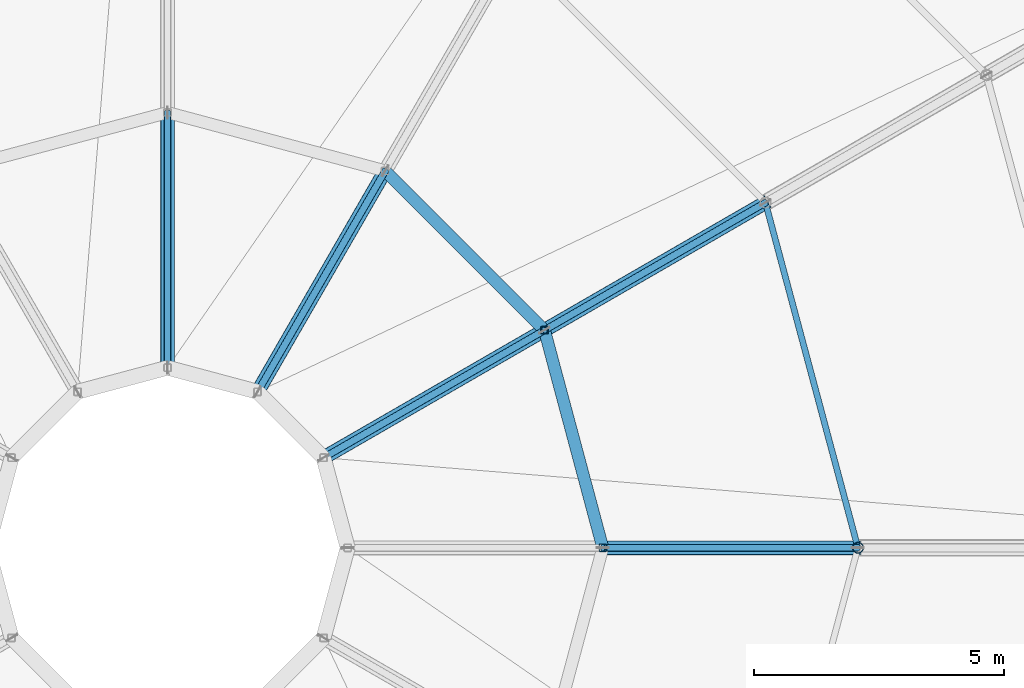
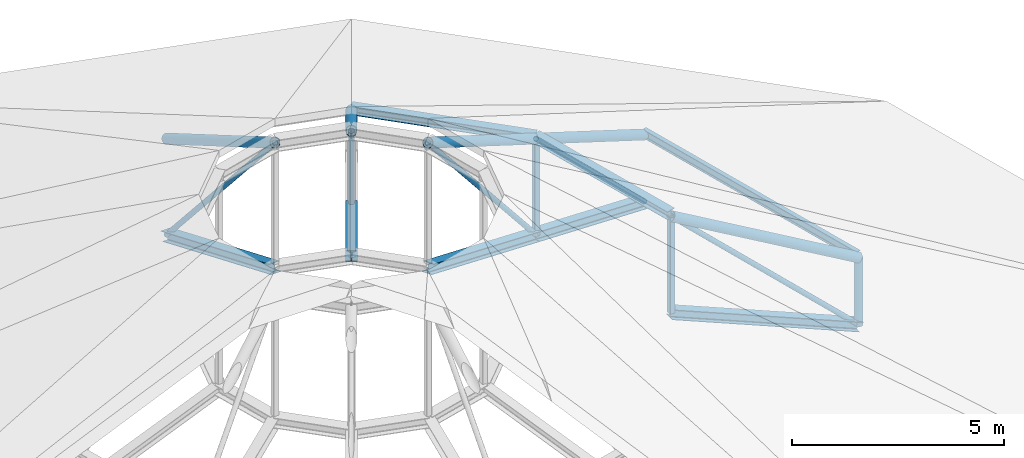
# One storey, part 20 of 58: 21 members.
"""IFC4 building model written with IfcOpenShell, lengths in metres."""

from ifc_helpers import new_model, si_unit, derived_unit, direction, frame, origin, origin_2d, place, context, subcontext, project, spatial, hollow_rectangle, hollow_circle, i_section, extrude, material, material_profile, profile_set, type_object, element, save


model = new_model("IFC4")

# Units and contexts
model_context = context("Model", 3, precision=1e-05, world=origin(), true_north=direction((0.0, 1.0)))
body_context = subcontext(model_context, "Body", "Model", "MODEL_VIEW")
ifc_project = project(units=[si_unit("LENGTHUNIT", "METRE"), si_unit("AREAUNIT", "SQUARE_METRE"), si_unit("VOLUMEUNIT", "CUBIC_METRE"), si_unit("PLANEANGLEUNIT", "RADIAN"), si_unit("MASSUNIT", "GRAM", prefix="KILO"), derived_unit("THERMALTRANSMITTANCEUNIT", [(si_unit("POWERUNIT", "WATT"), 1), (si_unit("AREAUNIT", "SQUARE_METRE"), -1), (si_unit("THERMODYNAMICTEMPERATUREUNIT", "KELVIN"), -1)])], contexts=[model_context])

# Site, building, storey
site_placement = place(None, origin())
site = spatial("IfcSite", under=ifc_project, at=site_placement, CompositionType="ELEMENT")
building_placement = place(site_placement, origin())
building = spatial("IfcBuilding", under=site, at=building_placement, Name="Yasenodar Specialist Clinic", CompositionType="ELEMENT")
storey_placement = place(building_placement, frame((0.0, 0.0, 21.300048828125)))
storey = spatial("IfcBuildingStorey", under=building, at=storey_placement, Name="L05", CompositionType="ELEMENT", Elevation=21.300048828125)

# Members
ifc_material = material(Name="Steel S355", Category="steel")
ifc_material_profile_1 = material_profile(ifc_material, i_section(OverallWidth=0.239990234375, OverallDepth=0.22998046875, WebThickness=0.007568359375, FlangeThickness=0.011962890625, FilletRadius=0.02099609375, at=origin_2d()), Name="HEA 240")
ifc_profile_set_1 = profile_set([ifc_material_profile_1], Name="Steel S355")
member_type_1 = type_object("IfcMemberType", Name="PR-HEA240", PredefinedType="PURLIN", material=ifc_profile_set_1)
for number, where, z_axis, x_axis, name in (
    (1, (89.699951171875, 58.800048828125, 8.98486328125), (-0.258816477475, 0.965926514279, 0.0), (-0.965926514279, -0.258816477475, 0.0), "Drum Roof Concentric Purlin 4.01"),
    (2, (88.534423828125, 63.14990234375, 8.98486328125), (-0.707079674952, 0.707133886382, 0.0), (-0.707133886382, -0.707079674952, 0.0), "Drum Roof Concentric Purlin 4.02"),
):
    element("IfcMember", number, at=place(storey_placement, frame(where, z_axis=z_axis, x_axis=x_axis)), inside=storey, type_object=member_type_1, Name=name, PredefinedType="PURLIN", context=body_context, shape_type="SweptSolid", body=[
        extrude(i_section(OverallWidth=0.239990234375, OverallDepth=0.22998046875, WebThickness=0.007568359375, FlangeThickness=0.011962890625, FilletRadius=0.02099609375, at=origin_2d()), origin(), (0.0, 0.0, 1.0), 4.50341796875),
    ])
ifc_material_profile_2 = material_profile(ifc_material, i_section(OverallWidth=0.1201171875, OverallDepth=0.239990234375, WebThickness=0.006103515625, FlangeThickness=0.009765625, FilletRadius=0.014892578125, at=origin_2d()), Name="IPE 240")
ifc_profile_set_2 = profile_set([ifc_material_profile_2], Name="Steel S355")
member_type_2 = type_object("IfcMemberType", Name="PR-IPE240", PredefinedType="PURLIN", material=ifc_profile_set_2)
member_1_placement = place(storey_placement, frame((94.800048828125, 58.800048828125, 6.010009765625), z_axis=(-0.258826058022, 0.965923947156, 0.0), x_axis=(-0.965923947156, -0.258826058022, 0.0)))
element("IfcMember", 3, at=member_1_placement, inside=storey, type_object=member_type_2, Name="Drum Roof Concentric Purlin 3.01", PredefinedType="PURLIN", context=body_context, shape_type="SweptSolid", body=[
    extrude(i_section(OverallWidth=0.1201171875, OverallDepth=0.239990234375, WebThickness=0.006103515625, FlangeThickness=0.009765625, FilletRadius=0.014892578125, at=origin_2d()), origin(), (0.0, 0.0, 1.0), 7.143310546875),
])
ifc_material_profile_3 = material_profile(ifc_material, hollow_circle(Radius=0.06982421875, WallThickness=0.00634765625, at=origin_2d()), Name="CHS 139.7x6.3")
ifc_profile_set_3 = profile_set([ifc_material_profile_3], Name="Steel S355")
member_type_3 = type_object("IfcMemberType", Name="TR-BRC-CHS139", PredefinedType="BRACE", material=ifc_profile_set_3)
member_2_placement = place(storey_placement, frame((94.800048828125, 58.800048828125, 4.02490234375), z_axis=(-0.721100990621, 0.0, 0.692829965666), x_axis=(0.0, -1.0, 0.0)))
element("IfcMember", 4, at=member_2_placement, inside=storey, type_object=member_type_3, Name="Drum Roof Truss 01 Web Diagonal 3", PredefinedType="BRACE", context=body_context, shape_type="SweptSolid", body=[
    extrude(hollow_circle(Radius=0.06982421875, WallThickness=0.00634765625, at=origin_2d()), origin(), (0.0, 0.0, 1.0), 7.07275390625),
])
member_3_placement = place(storey_placement, frame((92.951171875, 65.699951171875, 4.02490234375), z_axis=(-0.624486076732, -0.360552599163, 0.692834008407), x_axis=(0.500005610874, -0.86602216432, 0.0)))
element("IfcMember", 5, at=member_3_placement, inside=storey, type_object=member_type_3, Name="Drum Roof Truss 02 Web Diagonal 3", PredefinedType="BRACE", context=body_context, shape_type="SweptSolid", body=[
    extrude(hollow_circle(Radius=0.06982421875, WallThickness=0.00634765625, at=origin_2d()), origin(), (0.0, 0.0, 1.0), 7.072509765625),
])
for number, where, z_axis, x_axis, name in (
    (6, (88.534423828125, 63.14990234375, 6.162353515625), (-0.575359700118, -0.332157244377, 0.747417407135), (0.499969707105, -0.866042892689, 0.0), "Drum Roof Truss 02 Web Diagonal 4"),
    (7, (85.35009765625, 66.33447265625, 6.162353515625), (-0.332185538726, -0.575353621933, 0.747409511306), (0.86602216432, -0.500005610874, 0.0), "Drum Roof Truss 03 Web Diagonal 4"),
    (8, (81.0, 67.5, 6.162353515625), (0.0, -0.664367786798, 0.74740580936), (1.0, 0.0, 0.0), "Drum Roof Truss 04 Web Diagonal 4"),
):
    element("IfcMember", number, at=place(storey_placement, frame(where, z_axis=z_axis, x_axis=x_axis)), inside=storey, type_object=member_type_3, Name=name, PredefinedType="BRACE", context=body_context, shape_type="SweptSolid", body=[
        extrude(hollow_circle(Radius=0.06982421875, WallThickness=0.00634765625, at=origin_2d()), origin(), (0.0, 0.0, 1.0), 7.676513671875),
    ])
ifc_material_profile_4 = material_profile(ifc_material, hollow_circle(Radius=0.136474609375, WallThickness=0.012451171875, at=origin_2d()), Name="CHS 273x12.5")
ifc_profile_set_4 = profile_set([ifc_material_profile_4], Name="Steel S355")
member_type_4 = type_object("IfcMemberType", Name="TR-CHD-CHS273", PredefinedType="CHORD", material=ifc_profile_set_4)
member_4_placement = place(storey_placement, frame((94.800048828125, 58.800048828125, 5.949951171875), z_axis=(-0.86377590149, 0.0, 0.503876167332), x_axis=(0.0, -1.0, 0.0)))
element("IfcMember", 9, at=member_4_placement, inside=storey, type_object=member_type_4, Name="Drum Roof Truss 01 Top Chord 3", PredefinedType="CHORD", context=body_context, shape_type="SweptSolid", body=[
    extrude(hollow_circle(Radius=0.136474609375, WallThickness=0.012451171875, at=origin_2d()), origin(), (0.0, 0.0, 1.0), 5.904541015625),
])
member_5_placement = place(storey_placement, frame((92.951171875, 65.699951171875, 5.949951171875), z_axis=(-0.748046944425, -0.431891566774, 0.50388038609), x_axis=(0.500005610874, -0.86602216432, 0.0)))
element("IfcMember", 10, at=member_5_placement, inside=storey, type_object=member_type_4, Name="Drum Roof Truss 02 Top Chord 3", PredefinedType="CHORD", context=body_context, shape_type="SweptSolid", body=[
    extrude(hollow_circle(Radius=0.136474609375, WallThickness=0.012451171875, at=origin_2d()), origin(), (0.0, 0.0, 1.0), 5.904296875),
])
member_6_placement = place(storey_placement, frame((88.534423828125, 63.14990234375, 8.925048828125), z_axis=(-0.748075889266, -0.431866927616, 0.503858532458), x_axis=(0.499969707105, -0.866042892689, 0.0)))
element("IfcMember", 11, at=member_6_placement, inside=storey, type_object=member_type_4, Name="Drum Roof Truss 02 Top Chord 4", PredefinedType="CHORD", context=body_context, shape_type="SweptSolid", body=[
    extrude(hollow_circle(Radius=0.136474609375, WallThickness=0.012451171875, at=origin_2d()), origin(), (0.0, 0.0, 1.0), 5.904052734375),
])
for number, where, z_axis, x_axis, name in (
    (12, (85.35009765625, 66.33447265625, 8.925048828125), (-0.431900565152, -0.748062529838, 0.503849534359), (0.86602216432, -0.500005610874, 0.0), "Drum Roof Truss 03 Top Chord 4"),
    (13, (81.0, 67.5, 8.925048828125), (0.0, -0.863793897793, 0.503845315683), (1.0, 0.0, 0.0), "Drum Roof Truss 04 Top Chord 4"),
):
    element("IfcMember", number, at=place(storey_placement, frame(where, z_axis=z_axis, x_axis=x_axis)), inside=storey, type_object=member_type_4, Name=name, PredefinedType="CHORD", context=body_context, shape_type="SweptSolid", body=[
        extrude(hollow_circle(Radius=0.136474609375, WallThickness=0.012451171875, at=origin_2d()), origin(), (0.0, 0.0, 1.0), 5.904296875),
    ])
ifc_material_profile_5 = material_profile(ifc_material, i_section(OverallWidth=0.280029296875, OverallDepth=0.27001953125, WebThickness=0.008056640625, FlangeThickness=0.012939453125, FilletRadius=0.02392578125, at=origin_2d()), Name="HEA 280")
ifc_profile_set_5 = profile_set([ifc_material_profile_5], Name="Steel S355")
member_type_5 = type_object("IfcMemberType", Name="TR-CHD-HEA280", PredefinedType="CHORD", material=ifc_profile_set_5)
for number, where, z_axis, x_axis, name in (
    (14, (94.800048828125, 58.800048828125, 4.02490234375), (-0.92227816564, 0.0, 0.386526823369), (0.0, -1.0, 0.0), "Drum Roof Truss 01 Bottom Chord 3"),
    (15, (92.951171875, 65.699951171875, 4.02490234375), (-0.798711994016, -0.461143484467, 0.38653051283), (0.500005610874, -0.86602216432, 0.0), "Drum Roof Truss 02 Bottom Chord 3"),
    (16, (88.534423828125, 63.14990234375, 6.162353515625), (-0.798714623541, -0.461100852814, 0.386575935201), (0.499969707105, -0.866042892689, 0.0), "Drum Roof Truss 02 Bottom Chord 4"),
):
    element("IfcMember", number, at=place(storey_placement, frame(where, z_axis=z_axis, x_axis=x_axis)), inside=storey, type_object=member_type_5, Name=name, PredefinedType="CHORD", context=body_context, shape_type="SweptSolid", body=[
        extrude(i_section(OverallWidth=0.280029296875, OverallDepth=0.27001953125, WebThickness=0.008056640625, FlangeThickness=0.012939453125, FilletRadius=0.02392578125, at=origin_2d()), origin(), (0.0, 0.0, 1.0), 5.52978515625),
    ])
for number, where, z_axis, x_axis, name in (
    (17, (85.35009765625, 66.33447265625, 6.162353515625), (-0.461135614713, -0.798698363405, 0.386568065335), (0.86602216432, -0.500005610874, 0.0), "Drum Roof Truss 03 Bottom Chord 4"),
    (18, (81.0, 67.5, 6.162353515625), (0.0, -0.922262426582, 0.386564375642), (1.0, 0.0, 0.0), "Drum Roof Truss 04 Bottom Chord 4"),
):
    element("IfcMember", number, at=place(storey_placement, frame(where, z_axis=z_axis, x_axis=x_axis)), inside=storey, type_object=member_type_5, Name=name, PredefinedType="CHORD", context=body_context, shape_type="SweptSolid", body=[
        extrude(i_section(OverallWidth=0.280029296875, OverallDepth=0.27001953125, WebThickness=0.008056640625, FlangeThickness=0.012939453125, FilletRadius=0.02392578125, at=origin_2d()), origin(), (0.0, 0.0, 1.0), 5.530029296875),
    ])
ifc_material_profile_6 = material_profile(ifc_material, hollow_circle(Radius=0.109619140625, WallThickness=0.010009765625, at=origin_2d()), Name="CHS 219.1x10")
ifc_profile_set_6 = profile_set([ifc_material_profile_6], Name="Steel S355")
member_type_6 = type_object("IfcMemberType", Name="TR-STR-CHS219", PredefinedType="STRUT", material=ifc_profile_set_6)
member_7_placement = place(storey_placement, frame((94.800048828125, 58.800048828125, 4.02490234375), z_axis=(0.0, 0.0, 1.0), x_axis=(1.0, 0.0, 0.0)))
element("IfcMember", 19, at=member_7_placement, inside=storey, type_object=member_type_6, Name="Drum Roof Truss 01 Strut 2", PredefinedType="STRUT", context=body_context, shape_type="SweptSolid", body=[
    extrude(hollow_circle(Radius=0.109619140625, WallThickness=0.010009765625, at=origin_2d()), origin(), (0.0, 0.0, 1.0), 1.925048828125),
])
ifc_material_profile_7 = material_profile(ifc_material, hollow_rectangle(XDim=0.14990234375, YDim=0.14990234375, WallThickness=0.008056640625, InnerFilletRadius=0.011962890625, OuterFilletRadius=0.02001953125, at=origin_2d()), Name="SHS 150x150x8")
ifc_profile_set_7 = profile_set([ifc_material_profile_7], Name="Steel S355")
member_type_7 = type_object("IfcMemberType", Name="TR-STR-SHS150", PredefinedType="STRUT", material=ifc_profile_set_7)
for number, where, z_axis, x_axis, name in (
    (20, (89.699951171875, 58.800048828125, 6.162353515625), (0.0, 0.0, 1.0), (1.0, 0.0, 0.0), "Drum Roof Truss 01 Strut 3"),
    (21, (88.534423828125, 63.14990234375, 6.162353515625), (0.0, 0.0, 1.0), (1.0, 0.0, 0.0), "Drum Roof Truss 02 Strut 3"),
):
    element("IfcMember", number, at=place(storey_placement, frame(where, z_axis=z_axis, x_axis=x_axis)), inside=storey, type_object=member_type_7, Name=name, PredefinedType="STRUT", context=body_context, shape_type="SweptSolid", body=[
        extrude(hollow_rectangle(XDim=0.14990234375, YDim=0.14990234375, WallThickness=0.008056640625, InnerFilletRadius=0.011962890625, OuterFilletRadius=0.02001953125, at=origin_2d()), origin(), (0.0, 0.0, 1.0), 2.7626953125),
    ])

save(model, "model.ifc")
